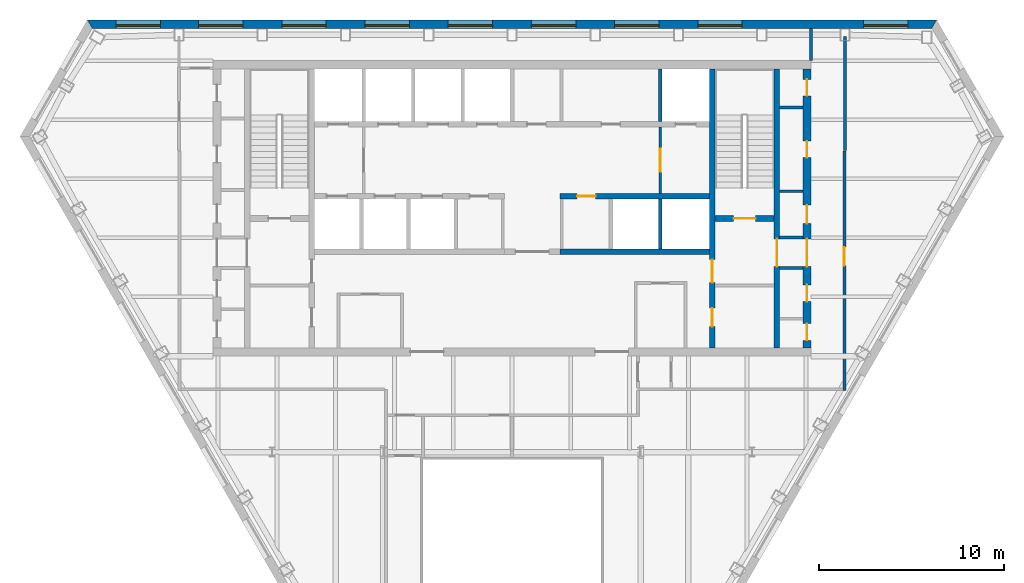
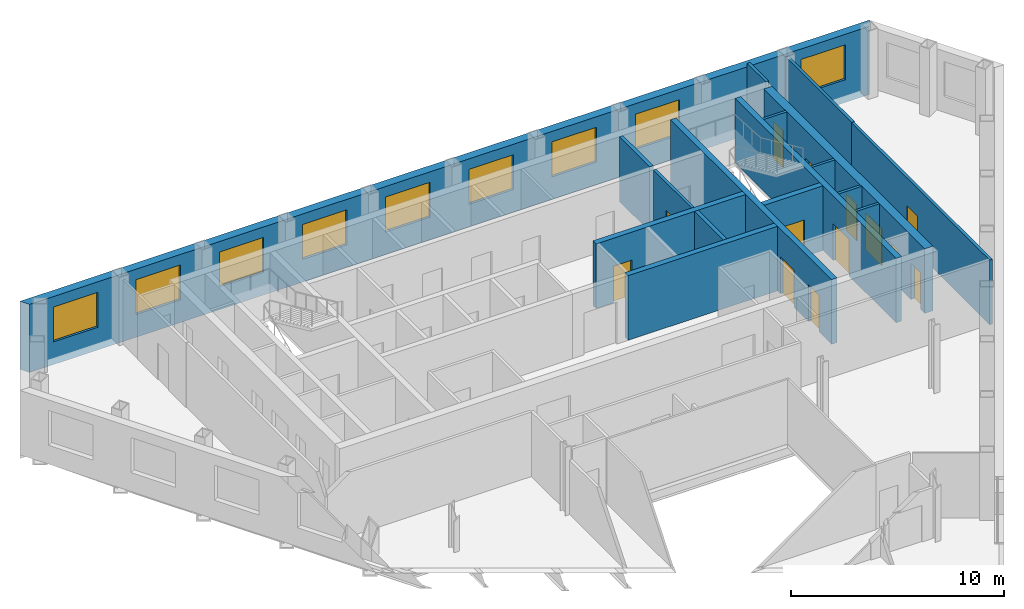
# One storey, part 7 of 11: 17 walls, 13 doors, 9 windows, 22 openings.
"""IFC4 building model written with IfcOpenShell, lengths in metres."""

from ifc_helpers import new_model, si_unit, direction, frame, frame_2d, origin, place, context, subcontext, project, spatial, polyline, rectangle, outline, extrude, material, layer, layer_set, type_object, element, fill, save


model = new_model("IFC4")

# Units and contexts
model_context = context("Model", 3, precision=1e-05, world=origin(), true_north=direction((0.0, 1.0)))
body_context = subcontext(model_context, "Body", "Model", "MODEL_VIEW")
ifc_project = project(units=[si_unit("LENGTHUNIT", "METRE"), si_unit("AREAUNIT", "SQUARE_METRE"), si_unit("VOLUMEUNIT", "CUBIC_METRE"), si_unit("PLANEANGLEUNIT", "RADIAN"), si_unit("MASSUNIT", "GRAM", prefix="KILO")], contexts=[model_context])

# Site, building, storey
site_placement = place(None, origin())
site = spatial("IfcSite", under=ifc_project, at=site_placement, CompositionType="ELEMENT")
building_placement = place(site_placement, origin())
building = spatial("IfcBuilding", under=site, at=building_placement, Name="Njiva Tower", CompositionType="ELEMENT")
storey_placement = place(building_placement, frame((0.0, 0.0, 204.3)))
storey = spatial("IfcBuildingStorey", under=building, at=storey_placement, Name="L45", CompositionType="ELEMENT", Elevation=204.3)

# Wall
ifc_material_1 = material(Name="Blockwork", Category="masonry")
ifc_layer_1 = layer(ifc_material_1, 0.15)
ifc_layer_set_1 = layer_set([ifc_layer_1], Name="Blockwork")
wall_type_1 = type_object("IfcWallType", Name="WT1 Compartment partition 150", PredefinedType="PARTITIONING", material=ifc_layer_set_1)
wall_1_placement = place(storey_placement, frame((14.5, 10.9308, 0.0), z_axis=(0.0, 0.0, 1.0), x_axis=(1.0, 0.0, 0.0)))
element("IfcWall", 1, at=wall_1_placement, inside=storey, type_object=wall_type_1, Name="Partition strip E10", PredefinedType="PARTITIONING", context=body_context, shape_type="SweptSolid", body=[
    extrude(rectangle(XDim=1.25, YDim=0.15, at=frame_2d((0.625, 0.0))), origin(), (0.0, 0.0, 1.0), 3.7),
])

# Wall, openings, doors
ifc_material_2 = material(Name="Concrete C40/50", Category="concrete")
ifc_layer_2 = layer(ifc_material_2, 0.3)
ifc_layer_set_2 = layer_set([ifc_layer_2], Name="Concrete C40/50")
wall_type_2 = type_object("IfcWallType", Name="WT10 Stair enclosure wall 300", PredefinedType="SHEAR", material=ifc_layer_set_2)
wall_2_placement = place(storey_placement, frame((10.85, 2.45, 0.0), z_axis=(0.0, 0.0, 1.0), x_axis=(0.0, 1.0, 0.0)))
wall_2 = element("IfcWall", 2, at=wall_2_placement, inside=storey, type_object=wall_type_2, Name="Stair wall east inner", PredefinedType="SHEAR", context=body_context, shape_type="SweptSolid", body=[
    extrude(rectangle(XDim=15.1, YDim=0.3, at=frame_2d((7.55, 0.0))), origin(), (0.0, 0.0, 1.0), 3.7),
])
opening_1_placement = place(wall_2_placement, frame((3.525, 0.0, 0.0)))
opening_1 = element("IfcOpeningElement", 3, at=opening_1_placement, cuts=wall_2, Name="Opening S15-D919", PredefinedType="OPENING", context=body_context, shape_type="SweptSolid", body=[
    extrude(rectangle(XDim=1.25, YDim=2.1, at=frame_2d((0.625, 1.05))), frame((0.0, 0.16, 0.0), z_axis=(0.0, -1.0, 0.0), x_axis=(1.0, 0.0, 0.0)), (0.0, 0.0, 1.0), 0.32),
])
opening_2_placement = place(wall_2_placement, frame((1.15, 0.0, 0.0)))
opening_2 = element("IfcOpeningElement", 4, at=opening_2_placement, cuts=wall_2, Name="Opening S15-D920", PredefinedType="OPENING", context=body_context, shape_type="SweptSolid", body=[
    extrude(rectangle(XDim=1.0, YDim=2.1, at=frame_2d((0.5, 1.05))), frame((0.0, 0.16, 0.0), z_axis=(0.0, -1.0, 0.0), x_axis=(1.0, 0.0, 0.0)), (0.0, 0.0, 1.0), 0.32),
])
ifc_material_3 = material(Name="Steel door, painted", Category="steel")
door_type_1 = type_object("IfcDoorType", Name="D5 Steel door 1000x2100", OperationType="SINGLE_SWING_LEFT", PredefinedType="DOOR", material=ifc_material_3)
door_1_placement = place(opening_2_placement, origin())
door_1 = element("IfcDoor", 5, at=door_1_placement, inside=storey, type_object=door_type_1, Name="Prayer room door", OperationType="SINGLE_SWING_LEFT", OverallHeight=2.1, OverallWidth=1.0, PredefinedType="DOOR", context=body_context, shape_type="SweptSolid", body=[
    extrude(rectangle(XDim=1.0, YDim=2.1, at=frame_2d((0.5, 1.05))), frame((0.0, 0.025, 0.0), z_axis=(0.0, -1.0, 0.0), x_axis=(1.0, 0.0, 0.0)), (0.0, 0.0, 1.0), 0.05),
])
fill(opening_2, door_1)
ifc_material_4 = material(Name="Glazed steel fire door", Category="steel")
door_type_2 = type_object("IfcDoorType", Name="D8 Vestibule corridor door 1250x2100 glazed", OperationType="SINGLE_SWING_LEFT", PredefinedType="DOOR", material=ifc_material_4)
door_2_placement = place(opening_1_placement, origin())
door_2 = element("IfcDoor", 6, at=door_2_placement, inside=storey, type_object=door_type_2, Name="Stair vestibule corridor door", OperationType="SINGLE_SWING_RIGHT", OverallHeight=2.1, OverallWidth=1.25, PredefinedType="DOOR", context=body_context, shape_type="SweptSolid", body=[
    extrude(rectangle(XDim=1.25, YDim=2.1, at=frame_2d((0.625, 1.05))), frame((0.0, 0.025, 0.0), z_axis=(0.0, -1.0, 0.0), x_axis=(1.0, 0.0, 0.0)), (0.0, 0.0, 1.0), 0.05),
])
fill(opening_1, door_2)

# Wall, opening, door
wall_3_placement = place(storey_placement, frame((14.35, 2.45, 0.0), z_axis=(0.0, 0.0, 1.0), x_axis=(0.0, 1.0, 0.0)))
wall_3 = element("IfcWall", 7, at=wall_3_placement, inside=storey, type_object=wall_type_2, Name="Stair wall east outer", PredefinedType="SHEAR", context=body_context, shape_type="SweptSolid", body=[
    extrude(rectangle(XDim=15.1, YDim=0.3, at=frame_2d((7.55, 0.0))), origin(), (0.0, 0.0, 1.0), 3.7),
])
opening_3_placement = place(wall_3_placement, frame((4.4, 0.0, 0.0)))
opening_3 = element("IfcOpeningElement", 8, at=opening_3_placement, cuts=wall_3, Name="Opening S15-D928", PredefinedType="OPENING", context=body_context, shape_type="SweptSolid", body=[
    extrude(rectangle(XDim=1.5, YDim=2.1, at=frame_2d((0.75, 1.05))), frame((0.0, 0.16, 0.0), z_axis=(0.0, -1.0, 0.0), x_axis=(1.0, 0.0, 0.0)), (0.0, 0.0, 1.0), 0.32),
])
door_type_3 = type_object("IfcDoorType", Name="D10 Exit door double 1500x2100 glazed", OperationType="DOUBLE_DOOR_SINGLE_SWING", PredefinedType="DOOR", material=ifc_material_4)
door_3_placement = place(opening_3_placement, origin())
door_3 = element("IfcDoor", 9, at=door_3_placement, inside=storey, type_object=door_type_3, Name="Stair B passage door", OperationType="DOUBLE_DOOR_SINGLE_SWING", OverallHeight=2.1, OverallWidth=1.5, PredefinedType="DOOR", context=body_context, shape_type="SweptSolid", body=[
    extrude(rectangle(XDim=1.5, YDim=2.1, at=frame_2d((0.75, 1.05))), frame((0.0, 0.025, 0.0), z_axis=(0.0, -1.0, 0.0), x_axis=(1.0, 0.0, 0.0)), (0.0, 0.0, 1.0), 0.05),
])
fill(opening_3, door_3)

wall_4_placement = place(storey_placement, frame((11.0, 9.45, 0.0), z_axis=(0.0, 0.0, 1.0), x_axis=(1.0, 0.0, 0.0)))
wall_4 = element("IfcWall", 10, at=wall_4_placement, inside=storey, type_object=wall_type_2, Name="Stair B south wall", PredefinedType="SHEAR", context=body_context, shape_type="SweptSolid", body=[
    extrude(rectangle(XDim=3.2, YDim=0.3, at=frame_2d((1.6, 0.0))), origin(), (0.0, 0.0, 1.0), 3.7),
])
opening_4_placement = place(wall_4_placement, frame((1.0, 0.0, 0.0)))
opening_4 = element("IfcOpeningElement", 11, at=opening_4_placement, cuts=wall_4, Name="Opening S15-D918", PredefinedType="OPENING", context=body_context, shape_type="SweptSolid", body=[
    extrude(rectangle(XDim=1.2, YDim=2.1, at=frame_2d((0.6, 1.05))), frame((0.0, 0.16, 0.0), z_axis=(0.0, -1.0, 0.0), x_axis=(1.0, 0.0, 0.0)), (0.0, 0.0, 1.0), 0.32),
])
door_type_4 = type_object("IfcDoorType", Name="D7 Stair vestibule door 1200x2100 glazed", OperationType="SINGLE_SWING_LEFT", PredefinedType="DOOR", material=ifc_material_4)
door_4_placement = place(opening_4_placement, origin())
door_4 = element("IfcDoor", 12, at=door_4_placement, inside=storey, type_object=door_type_4, Name="Stair B door", OperationType="SINGLE_SWING_LEFT", OverallHeight=2.1, OverallWidth=1.2, PredefinedType="DOOR", context=body_context, shape_type="SweptSolid", body=[
    extrude(rectangle(XDim=1.2, YDim=2.1, at=frame_2d((0.6, 1.05))), frame((0.0, 0.025, 0.0), z_axis=(0.0, -1.0, 0.0), x_axis=(1.0, 0.0, 0.0)), (0.0, 0.0, 1.0), 0.05),
])
fill(opening_4, door_4)

# Wall, openings, doors
ifc_material_5 = material(Name="Concrete C60/75", Category="concrete")
ifc_layer_3 = layer(ifc_material_5, 0.45)
ifc_layer_set_3 = layer_set([ifc_layer_3], Name="Concrete C60/75")
wall_type_3 = type_object("IfcWallType", Name="WT12 Core wall 450", PredefinedType="SHEAR", material=ifc_layer_set_3)
wall_5_placement = place(storey_placement, frame((15.975, 2.45, 0.0), z_axis=(0.0, 0.0, 1.0), x_axis=(0.0, 1.0, 0.0)))
wall_5 = element("IfcWall", 13, at=wall_5_placement, inside=storey, type_object=wall_type_3, Name="Core wall east", PredefinedType="SHEAR", context=body_context, shape_type="SweptSolid", body=[
    extrude(rectangle(XDim=15.1, YDim=0.45, at=frame_2d((7.55, 0.0))), origin(), (0.0, 0.0, 1.0), 3.7),
])
opening_5_placement = place(wall_5_placement, frame((4.4, 0.0, 0.0)))
opening_5 = element("IfcOpeningElement", 14, at=opening_5_placement, cuts=wall_5, Name="Opening S15-D929", PredefinedType="OPENING", context=body_context, shape_type="SweptSolid", body=[
    extrude(rectangle(XDim=1.5, YDim=2.1, at=frame_2d((0.75, 1.05))), frame((0.0, 0.235, 0.0), z_axis=(0.0, -1.0, 0.0), x_axis=(1.0, 0.0, 0.0)), (0.0, 0.0, 1.0), 0.47),
])
opening_6_placement = place(wall_5_placement, frame((0.4, 0.0, 0.0)))
opening_6 = element("IfcOpeningElement", 15, at=opening_6_placement, cuts=wall_5, Name="Opening S15-D930", PredefinedType="OPENING", context=body_context, shape_type="SweptSolid", body=[
    extrude(rectangle(XDim=0.9, YDim=2.1, at=frame_2d((0.45, 1.05))), frame((0.0, 0.235, 0.0), z_axis=(0.0, -1.0, 0.0), x_axis=(1.0, 0.0, 0.0)), (0.0, 0.0, 1.0), 0.47),
])
opening_7_placement = place(wall_5_placement, frame((2.5, 0.0, 0.0)))
opening_7 = element("IfcOpeningElement", 16, at=opening_7_placement, cuts=wall_5, Name="Opening S15-D931", PredefinedType="OPENING", context=body_context, shape_type="SweptSolid", body=[
    extrude(rectangle(XDim=0.9, YDim=2.1, at=frame_2d((0.45, 1.05))), frame((0.0, 0.235, 0.0), z_axis=(0.0, -1.0, 0.0), x_axis=(1.0, 0.0, 0.0)), (0.0, 0.0, 1.0), 0.47),
])
opening_8_placement = place(wall_5_placement, frame((6.7279, 0.0, 0.0)))
opening_8 = element("IfcOpeningElement", 17, at=opening_8_placement, cuts=wall_5, Name="Opening S15-D932", PredefinedType="OPENING", context=body_context, shape_type="SweptSolid", body=[
    extrude(rectangle(XDim=1.0, YDim=2.1, at=frame_2d((0.5, 1.05))), frame((0.0, 0.235, 0.0), z_axis=(0.0, -1.0, 0.0), x_axis=(1.0, 0.0, 0.0)), (0.0, 0.0, 1.0), 0.47),
])
opening_9_placement = place(wall_5_placement, frame((10.2933, 0.0, 0.0)))
opening_9 = element("IfcOpeningElement", 18, at=opening_9_placement, cuts=wall_5, Name="Opening S15-D933", PredefinedType="OPENING", context=body_context, shape_type="SweptSolid", body=[
    extrude(rectangle(XDim=0.9, YDim=2.1, at=frame_2d((0.45, 1.05))), frame((0.0, 0.235, 0.0), z_axis=(0.0, -1.0, 0.0), x_axis=(1.0, 0.0, 0.0)), (0.0, 0.0, 1.0), 0.47),
])
opening_10_placement = place(wall_5_placement, frame((13.6404, 0.0, 0.0)))
opening_10 = element("IfcOpeningElement", 19, at=opening_10_placement, cuts=wall_5, Name="Opening S15-D934", PredefinedType="OPENING", context=body_context, shape_type="SweptSolid", body=[
    extrude(rectangle(XDim=0.9, YDim=2.1, at=frame_2d((0.45, 1.05))), frame((0.0, 0.235, 0.0), z_axis=(0.0, -1.0, 0.0), x_axis=(1.0, 0.0, 0.0)), (0.0, 0.0, 1.0), 0.47),
])
door_5_placement = place(opening_5_placement, origin())
door_5 = element("IfcDoor", 20, at=door_5_placement, inside=storey, type_object=door_type_3, Name="Stair B corridor door", OperationType="DOUBLE_DOOR_SINGLE_SWING", OverallHeight=2.1, OverallWidth=1.5, PredefinedType="DOOR", context=body_context, shape_type="SweptSolid", body=[
    extrude(rectangle(XDim=1.5, YDim=2.1, at=frame_2d((0.75, 1.05))), frame((0.0, 0.025, 0.0), z_axis=(0.0, -1.0, 0.0), x_axis=(1.0, 0.0, 0.0)), (0.0, 0.0, 1.0), 0.05),
])
fill(opening_5, door_5)
door_type_5 = type_object("IfcDoorType", Name="D4 Riser door 900x2100", OperationType="SINGLE_SWING_LEFT", PredefinedType="DOOR", material=ifc_material_3)
door_6_placement = place(opening_10_placement, origin())
door_6 = element("IfcDoor", 21, at=door_6_placement, inside=storey, type_object=door_type_5, Name="Cable riser door", OperationType="SINGLE_SWING_RIGHT", OverallHeight=2.1, OverallWidth=0.9, PredefinedType="DOOR", context=body_context, shape_type="SweptSolid", body=[
    extrude(rectangle(XDim=0.9, YDim=2.1, at=frame_2d((0.45, 1.05))), frame((0.0, 0.025, 0.0), z_axis=(0.0, -1.0, 0.0), x_axis=(1.0, 0.0, 0.0)), (0.0, 0.0, 1.0), 0.05),
])
fill(opening_10, door_6)
door_7_placement = place(opening_8_placement, origin())
door_7 = element("IfcDoor", 22, at=door_7_placement, inside=storey, type_object=door_type_1, Name="Electrical room door", OperationType="SINGLE_SWING_LEFT", OverallHeight=2.1, OverallWidth=1.0, PredefinedType="DOOR", context=body_context, shape_type="SweptSolid", body=[
    extrude(rectangle(XDim=1.0, YDim=2.1, at=frame_2d((0.5, 1.05))), frame((0.0, 0.025, 0.0), z_axis=(0.0, -1.0, 0.0), x_axis=(1.0, 0.0, 0.0)), (0.0, 0.0, 1.0), 0.05),
])
fill(opening_8, door_7)
ifc_material_6 = material(Name="Steel fire door, painted", Category="steel")
door_type_6 = type_object("IfcDoorType", Name="D6 Fire-rated door 900x2100", OperationType="SINGLE_SWING_LEFT", PredefinedType="DOOR", material=ifc_material_6)
door_8_placement = place(opening_6_placement, origin())
door_8 = element("IfcDoor", 23, at=door_8_placement, inside=storey, type_object=door_type_6, Name="Cleaner's store door", OperationType="SINGLE_SWING_LEFT", OverallHeight=2.1, OverallWidth=0.9, PredefinedType="DOOR", context=body_context, shape_type="SweptSolid", body=[
    extrude(rectangle(XDim=0.9, YDim=2.1, at=frame_2d((0.45, 1.05))), frame((0.0, 0.025, 0.0), z_axis=(0.0, -1.0, 0.0), x_axis=(1.0, 0.0, 0.0)), (0.0, 0.0, 1.0), 0.05),
])
fill(opening_6, door_8)
door_9_placement = place(opening_7_placement, origin())
door_9 = element("IfcDoor", 24, at=door_9_placement, inside=storey, type_object=door_type_6, Name="Cable store door", OperationType="SINGLE_SWING_LEFT", OverallHeight=2.1, OverallWidth=0.9, PredefinedType="DOOR", context=body_context, shape_type="SweptSolid", body=[
    extrude(rectangle(XDim=0.9, YDim=2.1, at=frame_2d((0.45, 1.05))), frame((0.0, 0.025, 0.0), z_axis=(0.0, -1.0, 0.0), x_axis=(1.0, 0.0, 0.0)), (0.0, 0.0, 1.0), 0.05),
])
fill(opening_7, door_9)
door_10_placement = place(opening_9_placement, origin())
door_10 = element("IfcDoor", 25, at=door_10_placement, inside=storey, type_object=door_type_6, Name="Cable store door", OperationType="SINGLE_SWING_RIGHT", OverallHeight=2.1, OverallWidth=0.9, PredefinedType="DOOR", context=body_context, shape_type="SweptSolid", body=[
    extrude(rectangle(XDim=0.9, YDim=2.1, at=frame_2d((0.45, 1.05))), frame((0.0, 0.025, 0.0), z_axis=(0.0, -1.0, 0.0), x_axis=(1.0, 0.0, 0.0)), (0.0, 0.0, 1.0), 0.05),
])
fill(opening_9, door_10)

# Wall, opening, door
ifc_layer_4 = layer(ifc_material_1, 0.15)
ifc_layer_set_4 = layer_set([ifc_layer_4], Name="Blockwork")
wall_type_4 = type_object("IfcWallType", Name="WT2 Lobby partition 150", PredefinedType="PARTITIONING", material=ifc_layer_set_4)
wall_6_placement = place(storey_placement, frame((8.025, 10.8, 0.0), z_axis=(0.0, 0.0, 1.0), x_axis=(0.0, 1.0, 0.0)))
wall_6 = element("IfcWall", 26, at=wall_6_placement, inside=storey, type_object=wall_type_4, Name="Firefighting lobby wall B", PredefinedType="PARTITIONING", context=body_context, shape_type="SweptSolid", body=[
    extrude(rectangle(XDim=3.6, YDim=0.15, at=frame_2d((1.8, 0.0))), origin(), (0.0, 0.0, 1.0), 3.7),
])
opening_11_placement = place(wall_6_placement, frame((1.175, 0.0, 0.0)))
opening_11 = element("IfcOpeningElement", 27, at=opening_11_placement, cuts=wall_6, Name="Opening S15-D917", PredefinedType="OPENING", context=body_context, shape_type="SweptSolid", body=[
    extrude(rectangle(XDim=1.25, YDim=2.1, at=frame_2d((0.625, 1.05))), frame((0.0, 0.085, 0.0), z_axis=(0.0, -1.0, 0.0), x_axis=(1.0, 0.0, 0.0)), (0.0, 0.0, 1.0), 0.17),
])
door_11_placement = place(opening_11_placement, origin())
door_11 = element("IfcDoor", 28, at=door_11_placement, inside=storey, type_object=door_type_2, Name="Stair vestibule corridor door", OperationType="SINGLE_SWING_LEFT", OverallHeight=2.1, OverallWidth=1.25, PredefinedType="DOOR", context=body_context, shape_type="SweptSolid", body=[
    extrude(rectangle(XDim=1.25, YDim=2.1, at=frame_2d((0.625, 1.05))), frame((0.0, 0.025, 0.0), z_axis=(0.0, -1.0, 0.0), x_axis=(1.0, 0.0, 0.0)), (0.0, 0.0, 1.0), 0.05),
])
fill(opening_11, door_11)

# Wall
ifc_material_7 = material(Name="Gypsum board on steel studs", Category="gypsum")
ifc_layer_5 = layer(ifc_material_7, 0.15)
ifc_layer_set_5 = layer_set([ifc_layer_5], Name="Gypsum board on steel studs")
wall_type_5 = type_object("IfcWallType", Name="WT21 Compartment wall 150", PredefinedType="PARTITIONING", material=ifc_layer_set_5)
wall_7_placement = place(storey_placement, frame((16.2, 18.0, 0.0), z_axis=(0.0, 0.0, 1.0), x_axis=(0.0, 1.0, 0.0)))
element("IfcWall", 29, at=wall_7_placement, inside=storey, type_object=wall_type_5, Name="Partition S15-P025", PredefinedType="PARTITIONING", context=body_context, shape_type="SweptSolid", body=[
    extrude(rectangle(XDim=1.75, YDim=0.15, at=frame_2d((0.875, 0.0))), origin(), (0.0, 0.0, 1.0), 3.7),
])

# Wall, opening, door
wall_8_placement = place(storey_placement, frame((18.0, 0.125, 0.0), z_axis=(0.0, 0.0, 1.0), x_axis=(0.0, 1.0, 0.0)))
wall_8 = element("IfcWall", 30, at=wall_8_placement, inside=storey, type_object=wall_type_5, Name="Partition S15-P026", PredefinedType="PARTITIONING", context=body_context, shape_type="SweptSolid", body=[
    extrude(rectangle(XDim=12.98, YDim=0.15, at=frame_2d((6.49, 0.0))), origin(), (0.0, 0.0, 1.0), 3.7),
])
opening_12_placement = place(wall_8_placement, frame((6.777, 0.0, 0.0)))
opening_12 = element("IfcOpeningElement", 31, at=opening_12_placement, cuts=wall_8, Name="Opening S15-D013", PredefinedType="OPENING", context=body_context, shape_type="SweptSolid", body=[
    extrude(rectangle(XDim=1.0, YDim=2.1, at=frame_2d((0.5, 1.05))), frame((0.0, 0.085, 0.0), z_axis=(0.0, -1.0, 0.0), x_axis=(1.0, 0.0, 0.0)), (0.0, 0.0, 1.0), 0.17),
])
ifc_material_8 = material(Name="Steel fire door set", Category="steel")
door_type_7 = type_object("IfcDoorType", Name="D37 Fire door 1000x2100", OperationType="SINGLE_SWING_LEFT", PredefinedType="DOOR", material=ifc_material_8)
door_12_placement = place(opening_12_placement, origin())
door_12 = element("IfcDoor", 32, at=door_12_placement, inside=storey, type_object=door_type_7, Name="Door S15-D013", OperationType="SINGLE_SWING_LEFT", OverallHeight=2.1, OverallWidth=1.0, PredefinedType="DOOR", context=body_context, shape_type="SweptSolid", body=[
    extrude(rectangle(XDim=1.0, YDim=2.1, at=frame_2d((0.5, 1.05))), frame((0.0, 0.025, 0.0), z_axis=(0.0, -1.0, 0.0), x_axis=(1.0, 0.0, 0.0)), (0.0, 0.0, 1.0), 0.05),
])
fill(opening_12, door_12)

# Walls
wall_9_placement = place(storey_placement, frame((18.031, 13.123, 0.0), z_axis=(0.0, 0.0, 1.0), x_axis=(0.0, 1.0, 0.0)))
element("IfcWall", 33, at=wall_9_placement, inside=storey, type_object=wall_type_5, Name="Partition S15-P027", PredefinedType="PARTITIONING", context=body_context, shape_type="SweptSolid", body=[
    extrude(rectangle(XDim=6.177, YDim=0.15, at=frame_2d((3.0885, 0.0))), origin(), (0.0, 0.0, 1.0), 3.7),
])
ifc_layer_6 = layer(ifc_material_1, 0.15)
ifc_layer_set_6 = layer_set([ifc_layer_6], Name="Blockwork")
wall_type_6 = type_object("IfcWallType", Name="WT3 Riser partition 150", PredefinedType="PARTITIONING", material=ifc_layer_set_6)
wall_10_placement = place(storey_placement, frame((14.5, 15.4558, 0.0), z_axis=(0.0, 0.0, 1.0), x_axis=(1.0, 0.0, 0.0)))
element("IfcWall", 34, at=wall_10_placement, inside=storey, type_object=wall_type_6, Name="Partition strip E11", PredefinedType="PARTITIONING", context=body_context, shape_type="SweptSolid", body=[
    extrude(rectangle(XDim=1.25, YDim=0.15, at=frame_2d((0.625, 0.0))), origin(), (0.0, 0.0, 1.0), 3.7),
])
ifc_layer_7 = layer(ifc_material_1, 0.15)
ifc_layer_set_7 = layer_set([ifc_layer_7], Name="Blockwork")
wall_type_7 = type_object("IfcWallType", Name="WT4 Stair partition 150", PredefinedType="PARTITIONING", material=ifc_layer_set_7)
for number, where, z_axis, x_axis, name in (
    (35, (14.5, 6.775, 0.0), (0.0, 0.0, 1.0), (1.0, 0.0, 0.0), "Stair B exit passage wall south"),
    (36, (14.5, 8.425, 0.0), (0.0, 0.0, 1.0), (1.0, 0.0, 0.0), "Stair B exit passage wall north"),
):
    element("IfcWall", number, at=place(storey_placement, frame(where, z_axis=z_axis, x_axis=x_axis)), inside=storey, type_object=wall_type_7, Name=name, PredefinedType="PARTITIONING", context=body_context, shape_type="SweptSolid", body=[
        extrude(rectangle(XDim=1.25, YDim=0.15, at=frame_2d((0.625, 0.0))), origin(), (0.0, 0.0, 1.0), 3.7),
    ])
ifc_layer_8 = layer(ifc_material_2, 0.2)
ifc_layer_set_8 = layer_set([ifc_layer_8], Name="Concrete C40/50")
wall_type_8 = type_object("IfcWallType", Name="WT6 Lift shaft wall 200", PredefinedType="SHEAR", material=ifc_layer_set_8)
wall_11_placement = place(storey_placement, frame((8.025, 14.7, 0.0), z_axis=(0.0, 0.0, 1.0), x_axis=(0.0, 1.0, 0.0)))
element("IfcWall", 37, at=wall_11_placement, inside=storey, type_object=wall_type_8, Name="Shaft wall CN7", PredefinedType="SHEAR", context=body_context, shape_type="SweptSolid", body=[
    extrude(rectangle(XDim=2.85, YDim=0.2, at=frame_2d((1.425, 0.0))), origin(), (0.0, 0.0, 1.0), 3.7),
])
wall_12_placement = place(storey_placement, frame((8.0333, 7.8, 0.0), z_axis=(0.0, 0.0, 1.0), x_axis=(0.0, 1.0, 0.0)))
element("IfcWall", 38, at=wall_12_placement, inside=storey, type_object=wall_type_8, Name="Shaft wall CS7", PredefinedType="SHEAR", context=body_context, shape_type="SweptSolid", body=[
    extrude(rectangle(XDim=2.7, YDim=0.2, at=frame_2d((1.35, 0.0))), origin(), (0.0, 0.0, 1.0), 3.7),
])

# Wall, opening, door
ifc_layer_9 = layer(ifc_material_2, 0.3)
ifc_layer_set_9 = layer_set([ifc_layer_9], Name="Concrete C40/50")
wall_type_9 = type_object("IfcWallType", Name="WT7 Lift shaft wall 300", PredefinedType="SHEAR", material=ifc_layer_set_9)
wall_13_placement = place(storey_placement, frame((2.6, 10.65, 0.0), z_axis=(0.0, 0.0, 1.0), x_axis=(1.0, 0.0, 0.0)))
wall_13 = element("IfcWall", 39, at=wall_13_placement, inside=storey, type_object=wall_type_9, Name="Shaft wall south row lobby side E", PredefinedType="SHEAR", context=body_context, shape_type="SweptSolid", body=[
    extrude(rectangle(XDim=8.1, YDim=0.3, at=frame_2d((4.05, 0.0))), origin(), (0.0, 0.0, 1.0), 3.7),
])
opening_13_placement = place(wall_13_placement, frame((0.9334, 0.0, 0.0)))
opening_13 = element("IfcOpeningElement", 40, at=opening_13_placement, cuts=wall_13, Name="Opening S15-D912", PredefinedType="OPENING", context=body_context, shape_type="SweptSolid", body=[
    extrude(rectangle(XDim=1.0, YDim=2.1, at=frame_2d((0.5, 1.05))), frame((0.0, 0.16, 0.0), z_axis=(0.0, -1.0, 0.0), x_axis=(1.0, 0.0, 0.0)), (0.0, 0.0, 1.0), 0.32),
])
door_13_placement = place(opening_13_placement, origin())
door_13 = element("IfcDoor", 41, at=door_13_placement, inside=storey, type_object=door_type_1, Name="Prayer room door", OperationType="SINGLE_SWING_LEFT", OverallHeight=2.1, OverallWidth=1.0, PredefinedType="DOOR", context=body_context, shape_type="SweptSolid", body=[
    extrude(rectangle(XDim=1.0, YDim=2.1, at=frame_2d((0.5, 1.05))), frame((0.0, 0.025, 0.0), z_axis=(0.0, -1.0, 0.0), x_axis=(1.0, 0.0, 0.0)), (0.0, 0.0, 1.0), 0.05),
])
fill(opening_13, door_13)

# Wall
wall_14_placement = place(storey_placement, frame((2.6, 7.65, 0.0), z_axis=(0.0, 0.0, 1.0), x_axis=(1.0, 0.0, 0.0)))
element("IfcWall", 42, at=wall_14_placement, inside=storey, type_object=wall_type_9, Name="Shaft wall south row back E", PredefinedType="SHEAR", context=body_context, shape_type="SweptSolid", body=[
    extrude(rectangle(XDim=8.1, YDim=0.3, at=frame_2d((4.05, 0.0))), origin(), (0.0, 0.0, 1.0), 3.7),
])

# Wall, openings, windows
ifc_material_9 = material(Name="Brick masonry", Category="masonry")
ifc_layer_10 = layer(ifc_material_9, 0.45)
ifc_layer_set_10 = layer_set([ifc_layer_10], Name="Brick masonry")
wall_type_10 = type_object("IfcWallType", Name="WT90 Brick pier and spandrel wall 450", PredefinedType="SOLIDWALL", material=ifc_layer_set_10)
wall_15_placement = place(storey_placement, frame((22.8701, 19.975, -0.4), z_axis=(0.0, 0.0, 1.0), x_axis=(-1.0, 0.0, 0.0)))
wall_15 = element("IfcWall", 43, at=wall_15_placement, inside=storey, type_object=wall_type_10, Name="Facade wall N", PredefinedType="SOLIDWALL", context=body_context, shape_type="SweptSolid", body=[
    extrude(outline(polyline([(-0.1299, -0.225), (45.8701, -0.225), (45.6103, 0.225), (0.1299, 0.225), (-0.1299, -0.225)])), origin(), (0.0, 0.0, 1.0), 3.9),
])
opening_14_placement = place(wall_15_placement, frame((1.4242, 0.0, 1.3)))
opening_14 = element("IfcOpeningElement", 44, at=opening_14_placement, cuts=wall_15, Name="Opening S15-W01", PredefinedType="OPENING", context=body_context, shape_type="SweptSolid", body=[
    extrude(rectangle(XDim=2.4, YDim=2.0, at=frame_2d((1.2, 1.0))), frame((0.0, 0.235, 0.0), z_axis=(0.0, -1.0, 0.0), x_axis=(1.0, 0.0, 0.0)), (0.0, 0.0, 1.0), 0.47),
])
opening_15_placement = place(wall_15_placement, frame((10.401, 0.0, 1.3)))
opening_15 = element("IfcOpeningElement", 45, at=opening_15_placement, cuts=wall_15, Name="Opening S15-W02", PredefinedType="OPENING", context=body_context, shape_type="SweptSolid", body=[
    extrude(rectangle(XDim=2.4, YDim=2.0, at=frame_2d((1.2, 1.0))), frame((0.0, 0.235, 0.0), z_axis=(0.0, -1.0, 0.0), x_axis=(1.0, 0.0, 0.0)), (0.0, 0.0, 1.0), 0.47),
])
opening_16_placement = place(wall_15_placement, frame((14.9087, 0.0, 1.3)))
opening_16 = element("IfcOpeningElement", 46, at=opening_16_placement, cuts=wall_15, Name="Opening S15-W03", PredefinedType="OPENING", context=body_context, shape_type="SweptSolid", body=[
    extrude(rectangle(XDim=2.4, YDim=2.0, at=frame_2d((1.2, 1.0))), frame((0.0, 0.235, 0.0), z_axis=(0.0, -1.0, 0.0), x_axis=(1.0, 0.0, 0.0)), (0.0, 0.0, 1.0), 0.47),
])
opening_17_placement = place(wall_15_placement, frame((19.4163, 0.0, 1.3)))
opening_17 = element("IfcOpeningElement", 47, at=opening_17_placement, cuts=wall_15, Name="Opening S15-W04", PredefinedType="OPENING", context=body_context, shape_type="SweptSolid", body=[
    extrude(rectangle(XDim=2.4, YDim=2.0, at=frame_2d((1.2, 1.0))), frame((0.0, 0.235, 0.0), z_axis=(0.0, -1.0, 0.0), x_axis=(1.0, 0.0, 0.0)), (0.0, 0.0, 1.0), 0.47),
])
opening_18_placement = place(wall_15_placement, frame((23.9239, 0.0, 1.3)))
opening_18 = element("IfcOpeningElement", 48, at=opening_18_placement, cuts=wall_15, Name="Opening S15-W05", PredefinedType="OPENING", context=body_context, shape_type="SweptSolid", body=[
    extrude(rectangle(XDim=2.4, YDim=2.0, at=frame_2d((1.2, 1.0))), frame((0.0, 0.235, 0.0), z_axis=(0.0, -1.0, 0.0), x_axis=(1.0, 0.0, 0.0)), (0.0, 0.0, 1.0), 0.47),
])
opening_19_placement = place(wall_15_placement, frame((28.4315, 0.0, 1.3)))
opening_19 = element("IfcOpeningElement", 49, at=opening_19_placement, cuts=wall_15, Name="Opening S15-W06", PredefinedType="OPENING", context=body_context, shape_type="SweptSolid", body=[
    extrude(rectangle(XDim=2.4, YDim=2.0, at=frame_2d((1.2, 1.0))), frame((0.0, 0.235, 0.0), z_axis=(0.0, -1.0, 0.0), x_axis=(1.0, 0.0, 0.0)), (0.0, 0.0, 1.0), 0.47),
])
opening_20_placement = place(wall_15_placement, frame((32.9391, 0.0, 1.3)))
opening_20 = element("IfcOpeningElement", 50, at=opening_20_placement, cuts=wall_15, Name="Opening S15-W07", PredefinedType="OPENING", context=body_context, shape_type="SweptSolid", body=[
    extrude(rectangle(XDim=2.4, YDim=2.0, at=frame_2d((1.2, 1.0))), frame((0.0, 0.235, 0.0), z_axis=(0.0, -1.0, 0.0), x_axis=(1.0, 0.0, 0.0)), (0.0, 0.0, 1.0), 0.47),
])
opening_21_placement = place(wall_15_placement, frame((37.4468, 0.0, 1.3)))
opening_21 = element("IfcOpeningElement", 51, at=opening_21_placement, cuts=wall_15, Name="Opening S15-W08", PredefinedType="OPENING", context=body_context, shape_type="SweptSolid", body=[
    extrude(rectangle(XDim=2.4, YDim=2.0, at=frame_2d((1.2, 1.0))), frame((0.0, 0.235, 0.0), z_axis=(0.0, -1.0, 0.0), x_axis=(1.0, 0.0, 0.0)), (0.0, 0.0, 1.0), 0.47),
])
opening_22_placement = place(wall_15_placement, frame((41.916, 0.0, 1.3)))
opening_22 = element("IfcOpeningElement", 52, at=opening_22_placement, cuts=wall_15, Name="Opening S15-W09", PredefinedType="OPENING", context=body_context, shape_type="SweptSolid", body=[
    extrude(rectangle(XDim=2.4, YDim=2.0, at=frame_2d((1.2, 1.0))), frame((0.0, 0.235, 0.0), z_axis=(0.0, -1.0, 0.0), x_axis=(1.0, 0.0, 0.0)), (0.0, 0.0, 1.0), 0.47),
])
ifc_material_10 = material(Name="Clear glazing in aluminium frame", Category="aluminium")
window_type = type_object("IfcWindowType", Name="W90 Deep-set window 2400x2000", PartitioningType="SINGLE_PANEL", PredefinedType="WINDOW", material=ifc_material_10)
window_1_placement = place(opening_14_placement, origin())
window_1 = element("IfcWindow", 53, at=window_1_placement, inside=storey, type_object=window_type, Name="Window", OverallHeight=2.0, OverallWidth=2.4, PartitioningType="SINGLE_PANEL", PredefinedType="WINDOW", context=body_context, shape_type="SweptSolid", body=[
    extrude(rectangle(XDim=2.4, YDim=2.0, at=frame_2d((1.2, 1.0))), frame((0.0, 0.105, 0.0), z_axis=(0.0, -1.0, 0.0), x_axis=(1.0, 0.0, 0.0)), (0.0, 0.0, 1.0), 0.06),
])
fill(opening_14, window_1)
window_2_placement = place(opening_15_placement, origin())
window_2 = element("IfcWindow", 54, at=window_2_placement, inside=storey, type_object=window_type, Name="Window", OverallHeight=2.0, OverallWidth=2.4, PartitioningType="SINGLE_PANEL", PredefinedType="WINDOW", context=body_context, shape_type="SweptSolid", body=[
    extrude(rectangle(XDim=2.4, YDim=2.0, at=frame_2d((1.2, 1.0))), frame((0.0, 0.105, 0.0), z_axis=(0.0, -1.0, 0.0), x_axis=(1.0, 0.0, 0.0)), (0.0, 0.0, 1.0), 0.06),
])
fill(opening_15, window_2)
window_3_placement = place(opening_16_placement, origin())
window_3 = element("IfcWindow", 55, at=window_3_placement, inside=storey, type_object=window_type, Name="Window", OverallHeight=2.0, OverallWidth=2.4, PartitioningType="SINGLE_PANEL", PredefinedType="WINDOW", context=body_context, shape_type="SweptSolid", body=[
    extrude(rectangle(XDim=2.4, YDim=2.0, at=frame_2d((1.2, 1.0))), frame((0.0, 0.105, 0.0), z_axis=(0.0, -1.0, 0.0), x_axis=(1.0, 0.0, 0.0)), (0.0, 0.0, 1.0), 0.06),
])
fill(opening_16, window_3)
window_4_placement = place(opening_17_placement, origin())
window_4 = element("IfcWindow", 56, at=window_4_placement, inside=storey, type_object=window_type, Name="Window", OverallHeight=2.0, OverallWidth=2.4, PartitioningType="SINGLE_PANEL", PredefinedType="WINDOW", context=body_context, shape_type="SweptSolid", body=[
    extrude(rectangle(XDim=2.4, YDim=2.0, at=frame_2d((1.2, 1.0))), frame((0.0, 0.105, 0.0), z_axis=(0.0, -1.0, 0.0), x_axis=(1.0, 0.0, 0.0)), (0.0, 0.0, 1.0), 0.06),
])
fill(opening_17, window_4)
window_5_placement = place(opening_18_placement, origin())
window_5 = element("IfcWindow", 57, at=window_5_placement, inside=storey, type_object=window_type, Name="Window", OverallHeight=2.0, OverallWidth=2.4, PartitioningType="SINGLE_PANEL", PredefinedType="WINDOW", context=body_context, shape_type="SweptSolid", body=[
    extrude(rectangle(XDim=2.4, YDim=2.0, at=frame_2d((1.2, 1.0))), frame((0.0, 0.105, 0.0), z_axis=(0.0, -1.0, 0.0), x_axis=(1.0, 0.0, 0.0)), (0.0, 0.0, 1.0), 0.06),
])
fill(opening_18, window_5)
window_6_placement = place(opening_19_placement, origin())
window_6 = element("IfcWindow", 58, at=window_6_placement, inside=storey, type_object=window_type, Name="Window", OverallHeight=2.0, OverallWidth=2.4, PartitioningType="SINGLE_PANEL", PredefinedType="WINDOW", context=body_context, shape_type="SweptSolid", body=[
    extrude(rectangle(XDim=2.4, YDim=2.0, at=frame_2d((1.2, 1.0))), frame((0.0, 0.105, 0.0), z_axis=(0.0, -1.0, 0.0), x_axis=(1.0, 0.0, 0.0)), (0.0, 0.0, 1.0), 0.06),
])
fill(opening_19, window_6)
window_7_placement = place(opening_20_placement, origin())
window_7 = element("IfcWindow", 59, at=window_7_placement, inside=storey, type_object=window_type, Name="Window", OverallHeight=2.0, OverallWidth=2.4, PartitioningType="SINGLE_PANEL", PredefinedType="WINDOW", context=body_context, shape_type="SweptSolid", body=[
    extrude(rectangle(XDim=2.4, YDim=2.0, at=frame_2d((1.2, 1.0))), frame((0.0, 0.105, 0.0), z_axis=(0.0, -1.0, 0.0), x_axis=(1.0, 0.0, 0.0)), (0.0, 0.0, 1.0), 0.06),
])
fill(opening_20, window_7)
window_8_placement = place(opening_21_placement, origin())
window_8 = element("IfcWindow", 60, at=window_8_placement, inside=storey, type_object=window_type, Name="Window", OverallHeight=2.0, OverallWidth=2.4, PartitioningType="SINGLE_PANEL", PredefinedType="WINDOW", context=body_context, shape_type="SweptSolid", body=[
    extrude(rectangle(XDim=2.4, YDim=2.0, at=frame_2d((1.2, 1.0))), frame((0.0, 0.105, 0.0), z_axis=(0.0, -1.0, 0.0), x_axis=(1.0, 0.0, 0.0)), (0.0, 0.0, 1.0), 0.06),
])
fill(opening_21, window_8)
window_9_placement = place(opening_22_placement, origin())
window_9 = element("IfcWindow", 61, at=window_9_placement, inside=storey, type_object=window_type, Name="Window", OverallHeight=2.0, OverallWidth=2.4, PartitioningType="SINGLE_PANEL", PredefinedType="WINDOW", context=body_context, shape_type="SweptSolid", body=[
    extrude(rectangle(XDim=2.4, YDim=2.0, at=frame_2d((1.2, 1.0))), frame((0.0, 0.105, 0.0), z_axis=(0.0, -1.0, 0.0), x_axis=(1.0, 0.0, 0.0)), (0.0, 0.0, 1.0), 0.06),
])
fill(opening_22, window_9)

save(model, "model.ifc")
